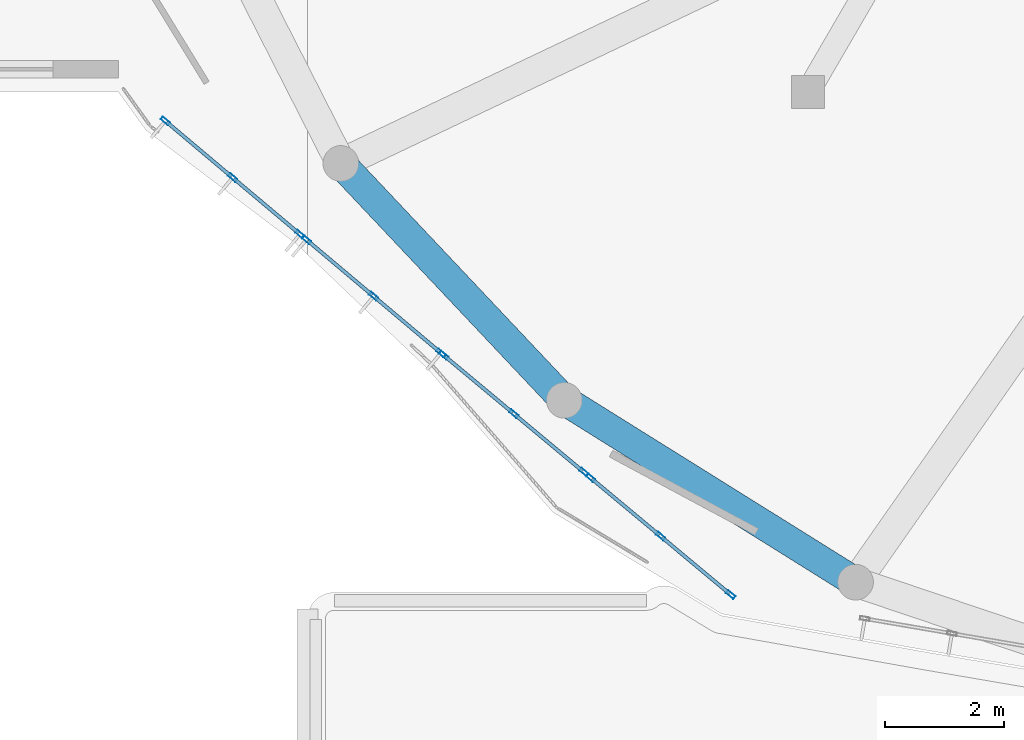
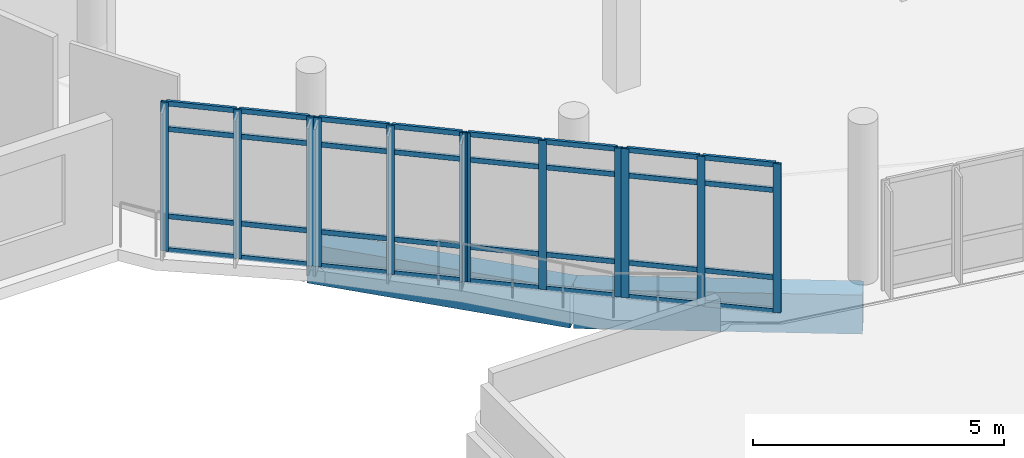
# One storey, part 7 of 74: 44 members, 2 beams, 4 elements without a shape of their own.
"""IFC4 building model written with IfcOpenShell, lengths in metres."""

from ifc_helpers import new_model, si_unit, derived_unit, direction, frame, origin, origin_2d, place, context, subcontext, project, spatial, rectangle, hollow_rectangle, extrude, material, layer, layer_set, material_profile, profile_set, type_object, element, aggregate, save


model = new_model("IFC4")

# Units and contexts
model_context = context("Model", 3, precision=1e-05, world=origin(), true_north=direction((0.0, 1.0)))
body_context = subcontext(model_context, "Body", "Model", "MODEL_VIEW")
ifc_project = project(units=[si_unit("LENGTHUNIT", "METRE"), si_unit("AREAUNIT", "SQUARE_METRE"), si_unit("VOLUMEUNIT", "CUBIC_METRE"), si_unit("PLANEANGLEUNIT", "RADIAN"), si_unit("MASSUNIT", "GRAM", prefix="KILO"), derived_unit("THERMALTRANSMITTANCEUNIT", [(si_unit("POWERUNIT", "WATT"), 1), (si_unit("LENGTHUNIT", "METRE"), -2), (si_unit("THERMODYNAMICTEMPERATUREUNIT", "KELVIN"), -1)])], contexts=[model_context])

# Site, building, storey
site_placement = place(None, origin())
site = spatial("IfcSite", under=ifc_project, at=site_placement, CompositionType="ELEMENT")
building_placement = place(site_placement, origin())
building = spatial("IfcBuilding", under=site, at=building_placement, Name="Elbkamm Science Centre", CompositionType="ELEMENT")
storey_placement = place(building_placement, frame((0.0, 0.0, 14.39990234375)))
storey = spatial("IfcBuildingStorey", under=building, at=storey_placement, Name="L03", CompositionType="ELEMENT", Elevation=14.39990234375)

# Beams
ifc_material_1 = material(Name="Concrete C40/50", Category="concrete")
ifc_material_profile_1 = material_profile(ifc_material_1, rectangle(XDim=0.5, YDim=0.949951171875, at=origin_2d()), Name="RC 500x950")
ifc_profile_set_1 = profile_set([ifc_material_profile_1], Name="Concrete C40/50")
beam_type = type_object("IfcBeamType", Name="BM-RC-500x950", PredefinedType="BEAM", material=ifc_profile_set_1)
beam_1_placement = place(storey_placement, frame((42.56201171875, 57.60009765625, -0.7548828125), z_axis=(0.686122314522, -0.727486198848, 0.0), x_axis=(0.727486198848, 0.686122314522, 0.0)))
element("IfcBeam", 1, at=beam_1_placement, inside=storey, type_object=beam_type, Name="L03 Elliptical Shell Perimeter Ring Beam 15", PredefinedType="SPANDREL", context=body_context, shape_type="SweptSolid", body=[
    extrude(rectangle(XDim=0.5, YDim=0.949951171875, at=origin_2d()), origin(), (0.0, 0.0, 1.0), 5.465576171875),
])
beam_2_placement = place(storey_placement, frame((46.31201171875, 53.6240234375, -0.7548828125), z_axis=(0.848229099729, -0.529629487824, 0.0), x_axis=(0.529629487824, 0.848229099729, 0.0)))
element("IfcBeam", 2, at=beam_2_placement, inside=storey, type_object=beam_type, Name="L03 Elliptical Shell Perimeter Ring Beam 16", PredefinedType="SPANDREL", context=body_context, shape_type="SweptSolid", body=[
    extrude(rectangle(XDim=0.5, YDim=0.949951171875, at=origin_2d()), origin(), (0.0, 0.0, 1.0), 5.762451171875),
])

# Curtain wall, members
ifc_material_2 = material(Name="Powder-coated aluminium and triple low-E glazing", Category="aluminium")
ifc_layer_1 = layer(ifc_material_2, 0.159912109375)
ifc_layer_set_1 = layer_set([ifc_layer_1], Name="Powder-coated aluminium and triple low-E glazing")
curtain_wall_type_1 = type_object("IfcCurtainWallType", Name="CW-UNIT-3020x3620", PredefinedType="USERDEFINED", material=ifc_layer_set_1)
curtain_wall_1_placement = place(storey_placement, origin())
curtain_wall_1 = element("IfcCurtainWall", 3, at=curtain_wall_1_placement, inside=storey, type_object=curtain_wall_type_1, Name="L03 Unitised Curtain Wall 065", ObjectType="UNITISED CURTAIN WALL", PredefinedType="USERDEFINED")
ifc_material_3 = material(Name="Powder-coated aluminium EN AW-6060", Category="aluminium")
ifc_material_profile_2 = material_profile(ifc_material_3, hollow_rectangle(XDim=0.06005859375, YDim=0.159912109375, WallThickness=0.00390625, at=origin_2d()), Name="ALU M60x160")
ifc_profile_set_2 = profile_set([ifc_material_profile_2], Name="Powder-coated aluminium EN AW-6060")
member_type_1 = type_object("IfcMemberType", Name="CW-MUL-60x160", PredefinedType="MULLION", material=ifc_profile_set_2)
member_1_placement = place(storey_placement, frame((39.6162109375, 58.313232421875, 0.0), z_axis=(0.0, 0.0, 1.0), x_axis=(0.643956875932, 0.765061789622, 0.0)))
member_1 = element("IfcMember", 4, at=member_1_placement, type_object=member_type_1, Name="CW-026 mullion 1", PredefinedType="MULLION", context=body_context, shape_type="SweptSolid", body=[
    extrude(hollow_rectangle(XDim=0.06005859375, YDim=0.159912109375, WallThickness=0.00390625, at=origin_2d()), origin(), (0.0, 0.0, 1.0), 3.6201171875),
])
member_2_placement = place(storey_placement, frame((40.745849609375, 57.3623046875, 0.0), z_axis=(0.0, 0.0, 1.0), x_axis=(0.643956875932, 0.765061789622, 0.0)))
member_2 = element("IfcMember", 5, at=member_2_placement, type_object=member_type_1, Name="CW-026 mullion 2", PredefinedType="MULLION", context=body_context, shape_type="SweptSolid", body=[
    extrude(hollow_rectangle(XDim=0.06005859375, YDim=0.159912109375, WallThickness=0.00390625, at=origin_2d()), origin(), (0.0, 0.0, 1.0), 3.6201171875),
])
member_3_placement = place(storey_placement, frame((41.87548828125, 56.41162109375, 0.0), z_axis=(0.0, 0.0, 1.0), x_axis=(0.643956875932, 0.765061789622, 0.0)))
member_3 = element("IfcMember", 6, at=member_3_placement, type_object=member_type_1, Name="CW-026 mullion 3", PredefinedType="MULLION", context=body_context, shape_type="SweptSolid", body=[
    extrude(hollow_rectangle(XDim=0.06005859375, YDim=0.159912109375, WallThickness=0.00390625, at=origin_2d()), origin(), (0.0, 0.0, 1.0), 3.6201171875),
])

curtain_wall_2_placement = place(storey_placement, origin())
curtain_wall_2 = element("IfcCurtainWall", 7, at=curtain_wall_2_placement, inside=storey, type_object=curtain_wall_type_1, Name="L03 Unitised Curtain Wall 066", ObjectType="UNITISED CURTAIN WALL", PredefinedType="USERDEFINED")
member_4_placement = place(storey_placement, frame((41.982666015625, 56.3212890625, 0.0), z_axis=(0.0, 0.0, 1.0), x_axis=(0.643956875932, 0.765061789622, 0.0)))
member_4 = element("IfcMember", 8, at=member_4_placement, type_object=member_type_1, Name="CW-026 mullion 1", PredefinedType="MULLION", context=body_context, shape_type="SweptSolid", body=[
    extrude(hollow_rectangle(XDim=0.06005859375, YDim=0.159912109375, WallThickness=0.00390625, at=origin_2d()), origin(), (0.0, 0.0, 1.0), 3.6201171875),
])
member_5_placement = place(storey_placement, frame((43.1123046875, 55.37060546875, 0.0), z_axis=(0.0, 0.0, 1.0), x_axis=(0.643956875932, 0.765061789622, 0.0)))
member_5 = element("IfcMember", 9, at=member_5_placement, type_object=member_type_1, Name="CW-026 mullion 2", PredefinedType="MULLION", context=body_context, shape_type="SweptSolid", body=[
    extrude(hollow_rectangle(XDim=0.06005859375, YDim=0.159912109375, WallThickness=0.00390625, at=origin_2d()), origin(), (0.0, 0.0, 1.0), 3.6201171875),
])
member_6_placement = place(storey_placement, frame((44.241943359375, 54.419677734375, 0.0), z_axis=(0.0, 0.0, 1.0), x_axis=(0.643956875932, 0.765061789622, 0.0)))
member_6 = element("IfcMember", 10, at=member_6_placement, type_object=member_type_1, Name="CW-026 mullion 3", PredefinedType="MULLION", context=body_context, shape_type="SweptSolid", body=[
    extrude(hollow_rectangle(XDim=0.06005859375, YDim=0.159912109375, WallThickness=0.00390625, at=origin_2d()), origin(), (0.0, 0.0, 1.0), 3.6201171875),
])

ifc_layer_2 = layer(ifc_material_2, 0.159912109375)
ifc_layer_set_2 = layer_set([ifc_layer_2], Name="Powder-coated aluminium and triple low-E glazing")
curtain_wall_type_2 = type_object("IfcCurtainWallType", Name="CW-UNIT-3120x3620", PredefinedType="USERDEFINED", material=ifc_layer_set_2)
curtain_wall_3_placement = place(storey_placement, origin())
curtain_wall_3 = element("IfcCurtainWall", 11, at=curtain_wall_3_placement, inside=storey, type_object=curtain_wall_type_2, Name="L03 Unitised Curtain Wall 067", ObjectType="UNITISED CURTAIN WALL", PredefinedType="USERDEFINED")
member_7_placement = place(storey_placement, frame((44.287841796875, 54.381103515625, 0.0), z_axis=(0.0, 0.0, 1.0), x_axis=(0.640646699875, 0.767835793604, 0.0)))
member_7 = element("IfcMember", 12, at=member_7_placement, type_object=member_type_1, Name="CW-027 mullion 1", PredefinedType="MULLION", context=body_context, shape_type="SweptSolid", body=[
    extrude(hollow_rectangle(XDim=0.06005859375, YDim=0.159912109375, WallThickness=0.00390625, at=origin_2d()), origin(), (0.0, 0.0, 1.0), 3.6201171875),
])
member_8_placement = place(storey_placement, frame((45.46533203125, 53.398681640625, 0.0), z_axis=(0.0, 0.0, 1.0), x_axis=(0.640646699875, 0.767835793604, 0.0)))
member_8 = element("IfcMember", 13, at=member_8_placement, type_object=member_type_1, Name="CW-027 mullion 2", PredefinedType="MULLION", context=body_context, shape_type="SweptSolid", body=[
    extrude(hollow_rectangle(XDim=0.06005859375, YDim=0.159912109375, WallThickness=0.00390625, at=origin_2d()), origin(), (0.0, 0.0, 1.0), 3.6201171875),
])
member_9_placement = place(storey_placement, frame((46.642822265625, 52.41650390625, 0.0), z_axis=(0.0, 0.0, 1.0), x_axis=(0.640646699875, 0.767835793604, 0.0)))
member_9 = element("IfcMember", 14, at=member_9_placement, type_object=member_type_1, Name="CW-027 mullion 3", PredefinedType="MULLION", context=body_context, shape_type="SweptSolid", body=[
    extrude(hollow_rectangle(XDim=0.06005859375, YDim=0.159912109375, WallThickness=0.00390625, at=origin_2d()), origin(), (0.0, 0.0, 1.0), 3.6201171875),
])

curtain_wall_4_placement = place(storey_placement, origin())
curtain_wall_4 = element("IfcCurtainWall", 15, at=curtain_wall_4_placement, inside=storey, type_object=curtain_wall_type_2, Name="L03 Unitised Curtain Wall 068", ObjectType="UNITISED CURTAIN WALL", PredefinedType="USERDEFINED")
member_10_placement = place(storey_placement, frame((46.750244140625, 52.32666015625, 0.0), z_axis=(0.0, 0.0, 1.0), x_axis=(0.640646699875, 0.767835793604, 0.0)))
member_10 = element("IfcMember", 16, at=member_10_placement, type_object=member_type_1, Name="CW-027 mullion 1", PredefinedType="MULLION", context=body_context, shape_type="SweptSolid", body=[
    extrude(hollow_rectangle(XDim=0.06005859375, YDim=0.159912109375, WallThickness=0.00390625, at=origin_2d()), origin(), (0.0, 0.0, 1.0), 3.6201171875),
])
member_11_placement = place(storey_placement, frame((47.927734375, 51.34423828125, 0.0), z_axis=(0.0, 0.0, 1.0), x_axis=(0.640646699875, 0.767835793604, 0.0)))
member_11 = element("IfcMember", 17, at=member_11_placement, type_object=member_type_1, Name="CW-027 mullion 2", PredefinedType="MULLION", context=body_context, shape_type="SweptSolid", body=[
    extrude(hollow_rectangle(XDim=0.06005859375, YDim=0.159912109375, WallThickness=0.00390625, at=origin_2d()), origin(), (0.0, 0.0, 1.0), 3.6201171875),
])
member_12_placement = place(storey_placement, frame((49.105224609375, 50.36181640625, 0.0), z_axis=(0.0, 0.0, 1.0), x_axis=(0.640646699875, 0.767835793604, 0.0)))
member_12 = element("IfcMember", 18, at=member_12_placement, type_object=member_type_1, Name="CW-027 mullion 3", PredefinedType="MULLION", context=body_context, shape_type="SweptSolid", body=[
    extrude(hollow_rectangle(XDim=0.06005859375, YDim=0.159912109375, WallThickness=0.00390625, at=origin_2d()), origin(), (0.0, 0.0, 1.0), 3.6201171875),
])

# Member
ifc_material_profile_3 = material_profile(ifc_material_3, hollow_rectangle(XDim=0.06005859375, YDim=0.1201171875, WallThickness=0.00341796875, at=origin_2d()), Name="ALU T60x120")
ifc_profile_set_3 = profile_set([ifc_material_profile_3], Name="Powder-coated aluminium EN AW-6060")
member_type_2 = type_object("IfcMemberType", Name="CW-TRN-60x120", PredefinedType="USERDEFINED", material=ifc_profile_set_3)
member_13_placement = place(storey_placement, frame((39.63916015625, 58.2939453125, 0.030029296875), z_axis=(0.765005039779, -0.644024292331, 0.0), x_axis=(0.644024292331, 0.765005039779, 0.0)))
member_13 = element("IfcMember", 19, at=member_13_placement, type_object=member_type_2, Name="CW-026 transom 1.1", ObjectType="TRANSOM", PredefinedType="USERDEFINED", context=body_context, shape_type="SweptSolid", body=[
    extrude(hollow_rectangle(XDim=0.06005859375, YDim=0.1201171875, WallThickness=0.00341796875, at=origin_2d()), origin(), (0.0, 0.0, 1.0), 1.416748046875),
])

member_14_placement = place(storey_placement, frame((39.63916015625, 58.2939453125, 0.85009765625), z_axis=(0.765005039779, -0.644024292331, 0.0), x_axis=(0.644024292331, 0.765005039779, 0.0)))
member_14 = element("IfcMember", 20, at=member_14_placement, type_object=member_type_2, Name="CW-026 transom 1.2", ObjectType="TRANSOM", PredefinedType="USERDEFINED", context=body_context, shape_type="SweptSolid", body=[
    extrude(hollow_rectangle(XDim=0.06005859375, YDim=0.1201171875, WallThickness=0.00341796875, at=origin_2d()), origin(), (0.0, 0.0, 1.0), 1.416748046875),
])

member_15_placement = place(storey_placement, frame((39.63916015625, 58.2939453125, 2.97021484375), z_axis=(0.765005039779, -0.644024292331, 0.0), x_axis=(0.644024292331, 0.765005039779, 0.0)))
member_15 = element("IfcMember", 21, at=member_15_placement, type_object=member_type_2, Name="CW-026 transom 1.3", ObjectType="TRANSOM", PredefinedType="USERDEFINED", context=body_context, shape_type="SweptSolid", body=[
    extrude(hollow_rectangle(XDim=0.06005859375, YDim=0.1201171875, WallThickness=0.00341796875, at=origin_2d()), origin(), (0.0, 0.0, 1.0), 1.416748046875),
])

member_16_placement = place(storey_placement, frame((39.63916015625, 58.2939453125, 3.590087890625), z_axis=(0.765005039779, -0.644024292331, 0.0), x_axis=(0.644024292331, 0.765005039779, 0.0)))
member_16 = element("IfcMember", 22, at=member_16_placement, type_object=member_type_2, Name="CW-026 transom 1.4", ObjectType="TRANSOM", PredefinedType="USERDEFINED", context=body_context, shape_type="SweptSolid", body=[
    extrude(hollow_rectangle(XDim=0.06005859375, YDim=0.1201171875, WallThickness=0.00341796875, at=origin_2d()), origin(), (0.0, 0.0, 1.0), 1.416748046875),
])

member_17_placement = place(storey_placement, frame((40.768798828125, 57.343017578125, 0.030029296875), z_axis=(0.765089949984, -0.643923418144, 0.0), x_axis=(0.643923418144, 0.765089949984, 0.0)))
member_17 = element("IfcMember", 23, at=member_17_placement, type_object=member_type_2, Name="CW-026 transom 2.1", ObjectType="TRANSOM", PredefinedType="USERDEFINED", context=body_context, shape_type="SweptSolid", body=[
    extrude(hollow_rectangle(XDim=0.06005859375, YDim=0.1201171875, WallThickness=0.00341796875, at=origin_2d()), origin(), (0.0, 0.0, 1.0), 1.41650390625),
])

member_18_placement = place(storey_placement, frame((40.768798828125, 57.343017578125, 0.85009765625), z_axis=(0.765089949984, -0.643923418144, 0.0), x_axis=(0.643923418144, 0.765089949984, 0.0)))
member_18 = element("IfcMember", 24, at=member_18_placement, type_object=member_type_2, Name="CW-026 transom 2.2", ObjectType="TRANSOM", PredefinedType="USERDEFINED", context=body_context, shape_type="SweptSolid", body=[
    extrude(hollow_rectangle(XDim=0.06005859375, YDim=0.1201171875, WallThickness=0.00341796875, at=origin_2d()), origin(), (0.0, 0.0, 1.0), 1.41650390625),
])

member_19_placement = place(storey_placement, frame((40.768798828125, 57.343017578125, 2.97021484375), z_axis=(0.765089949984, -0.643923418144, 0.0), x_axis=(0.643923418144, 0.765089949984, 0.0)))
member_19 = element("IfcMember", 25, at=member_19_placement, type_object=member_type_2, Name="CW-026 transom 2.3", ObjectType="TRANSOM", PredefinedType="USERDEFINED", context=body_context, shape_type="SweptSolid", body=[
    extrude(hollow_rectangle(XDim=0.06005859375, YDim=0.1201171875, WallThickness=0.00341796875, at=origin_2d()), origin(), (0.0, 0.0, 1.0), 1.41650390625),
])

member_20_placement = place(storey_placement, frame((40.768798828125, 57.343017578125, 3.590087890625), z_axis=(0.765089949984, -0.643923418144, 0.0), x_axis=(0.643923418144, 0.765089949984, 0.0)))
member_20 = element("IfcMember", 26, at=member_20_placement, type_object=member_type_2, Name="CW-026 transom 2.4", ObjectType="TRANSOM", PredefinedType="USERDEFINED", context=body_context, shape_type="SweptSolid", body=[
    extrude(hollow_rectangle(XDim=0.06005859375, YDim=0.1201171875, WallThickness=0.00341796875, at=origin_2d()), origin(), (0.0, 0.0, 1.0), 1.41650390625),
])

aggregate(curtain_wall_1, [member_1, member_2, member_3, member_13, member_14, member_15, member_16, member_17, member_18, member_19, member_20])

member_21_placement = place(storey_placement, frame((42.005615234375, 56.302001953125, 0.030029296875), z_axis=(0.765089949984, -0.643923418144, 0.0), x_axis=(0.643923418144, 0.765089949984, 0.0)))
member_21 = element("IfcMember", 27, at=member_21_placement, type_object=member_type_2, Name="CW-026 transom 1.1", ObjectType="TRANSOM", PredefinedType="USERDEFINED", context=body_context, shape_type="SweptSolid", body=[
    extrude(hollow_rectangle(XDim=0.06005859375, YDim=0.1201171875, WallThickness=0.00341796875, at=origin_2d()), origin(), (0.0, 0.0, 1.0), 1.41650390625),
])

member_22_placement = place(storey_placement, frame((42.005615234375, 56.302001953125, 0.85009765625), z_axis=(0.765089949984, -0.643923418144, 0.0), x_axis=(0.643923418144, 0.765089949984, 0.0)))
member_22 = element("IfcMember", 28, at=member_22_placement, type_object=member_type_2, Name="CW-026 transom 1.2", ObjectType="TRANSOM", PredefinedType="USERDEFINED", context=body_context, shape_type="SweptSolid", body=[
    extrude(hollow_rectangle(XDim=0.06005859375, YDim=0.1201171875, WallThickness=0.00341796875, at=origin_2d()), origin(), (0.0, 0.0, 1.0), 1.41650390625),
])

member_23_placement = place(storey_placement, frame((42.005615234375, 56.302001953125, 2.97021484375), z_axis=(0.765089949984, -0.643923418144, 0.0), x_axis=(0.643923418144, 0.765089949984, 0.0)))
member_23 = element("IfcMember", 29, at=member_23_placement, type_object=member_type_2, Name="CW-026 transom 1.3", ObjectType="TRANSOM", PredefinedType="USERDEFINED", context=body_context, shape_type="SweptSolid", body=[
    extrude(hollow_rectangle(XDim=0.06005859375, YDim=0.1201171875, WallThickness=0.00341796875, at=origin_2d()), origin(), (0.0, 0.0, 1.0), 1.41650390625),
])

member_24_placement = place(storey_placement, frame((42.005615234375, 56.302001953125, 3.590087890625), z_axis=(0.765089949984, -0.643923418144, 0.0), x_axis=(0.643923418144, 0.765089949984, 0.0)))
member_24 = element("IfcMember", 30, at=member_24_placement, type_object=member_type_2, Name="CW-026 transom 1.4", ObjectType="TRANSOM", PredefinedType="USERDEFINED", context=body_context, shape_type="SweptSolid", body=[
    extrude(hollow_rectangle(XDim=0.06005859375, YDim=0.1201171875, WallThickness=0.00341796875, at=origin_2d()), origin(), (0.0, 0.0, 1.0), 1.41650390625),
])

member_25_placement = place(storey_placement, frame((43.13525390625, 55.351318359375, 0.030029296875), z_axis=(0.765005039779, -0.644024292331, 0.0), x_axis=(0.644024292331, 0.765005039779, 0.0)))
member_25 = element("IfcMember", 31, at=member_25_placement, type_object=member_type_2, Name="CW-026 transom 2.1", ObjectType="TRANSOM", PredefinedType="USERDEFINED", context=body_context, shape_type="SweptSolid", body=[
    extrude(hollow_rectangle(XDim=0.06005859375, YDim=0.1201171875, WallThickness=0.00341796875, at=origin_2d()), origin(), (0.0, 0.0, 1.0), 1.416748046875),
])

member_26_placement = place(storey_placement, frame((43.13525390625, 55.351318359375, 0.85009765625), z_axis=(0.765005039779, -0.644024292331, 0.0), x_axis=(0.644024292331, 0.765005039779, 0.0)))
member_26 = element("IfcMember", 32, at=member_26_placement, type_object=member_type_2, Name="CW-026 transom 2.2", ObjectType="TRANSOM", PredefinedType="USERDEFINED", context=body_context, shape_type="SweptSolid", body=[
    extrude(hollow_rectangle(XDim=0.06005859375, YDim=0.1201171875, WallThickness=0.00341796875, at=origin_2d()), origin(), (0.0, 0.0, 1.0), 1.416748046875),
])

member_27_placement = place(storey_placement, frame((43.13525390625, 55.351318359375, 2.97021484375), z_axis=(0.765005039779, -0.644024292331, 0.0), x_axis=(0.644024292331, 0.765005039779, 0.0)))
member_27 = element("IfcMember", 33, at=member_27_placement, type_object=member_type_2, Name="CW-026 transom 2.3", ObjectType="TRANSOM", PredefinedType="USERDEFINED", context=body_context, shape_type="SweptSolid", body=[
    extrude(hollow_rectangle(XDim=0.06005859375, YDim=0.1201171875, WallThickness=0.00341796875, at=origin_2d()), origin(), (0.0, 0.0, 1.0), 1.416748046875),
])

member_28_placement = place(storey_placement, frame((43.13525390625, 55.351318359375, 3.590087890625), z_axis=(0.765005039779, -0.644024292331, 0.0), x_axis=(0.644024292331, 0.765005039779, 0.0)))
member_28 = element("IfcMember", 34, at=member_28_placement, type_object=member_type_2, Name="CW-026 transom 2.4", ObjectType="TRANSOM", PredefinedType="USERDEFINED", context=body_context, shape_type="SweptSolid", body=[
    extrude(hollow_rectangle(XDim=0.06005859375, YDim=0.1201171875, WallThickness=0.00341796875, at=origin_2d()), origin(), (0.0, 0.0, 1.0), 1.416748046875),
])

aggregate(curtain_wall_2, [member_4, member_5, member_6, member_21, member_22, member_23, member_24, member_25, member_26, member_27, member_28])

member_29_placement = place(storey_placement, frame((44.31103515625, 54.362060546875, 0.030029296875), z_axis=(0.767786517721, -0.640705753998, 0.0), x_axis=(0.640705753998, 0.767786517721, 0.0)))
member_29 = element("IfcMember", 35, at=member_29_placement, type_object=member_type_2, Name="CW-027 transom 1.1", ObjectType="TRANSOM", PredefinedType="USERDEFINED", context=body_context, shape_type="SweptSolid", body=[
    extrude(hollow_rectangle(XDim=0.06005859375, YDim=0.1201171875, WallThickness=0.00341796875, at=origin_2d()), origin(), (0.0, 0.0, 1.0), 1.4736328125),
])

member_30_placement = place(storey_placement, frame((44.31103515625, 54.362060546875, 0.85009765625), z_axis=(0.767786517721, -0.640705753998, 0.0), x_axis=(0.640705753998, 0.767786517721, 0.0)))
member_30 = element("IfcMember", 36, at=member_30_placement, type_object=member_type_2, Name="CW-027 transom 1.2", ObjectType="TRANSOM", PredefinedType="USERDEFINED", context=body_context, shape_type="SweptSolid", body=[
    extrude(hollow_rectangle(XDim=0.06005859375, YDim=0.1201171875, WallThickness=0.00341796875, at=origin_2d()), origin(), (0.0, 0.0, 1.0), 1.4736328125),
])

member_31_placement = place(storey_placement, frame((44.31103515625, 54.362060546875, 2.97021484375), z_axis=(0.767786517721, -0.640705753998, 0.0), x_axis=(0.640705753998, 0.767786517721, 0.0)))
member_31 = element("IfcMember", 37, at=member_31_placement, type_object=member_type_2, Name="CW-027 transom 1.3", ObjectType="TRANSOM", PredefinedType="USERDEFINED", context=body_context, shape_type="SweptSolid", body=[
    extrude(hollow_rectangle(XDim=0.06005859375, YDim=0.1201171875, WallThickness=0.00341796875, at=origin_2d()), origin(), (0.0, 0.0, 1.0), 1.4736328125),
])

member_32_placement = place(storey_placement, frame((44.31103515625, 54.362060546875, 3.590087890625), z_axis=(0.767786517721, -0.640705753998, 0.0), x_axis=(0.640705753998, 0.767786517721, 0.0)))
member_32 = element("IfcMember", 38, at=member_32_placement, type_object=member_type_2, Name="CW-027 transom 1.4", ObjectType="TRANSOM", PredefinedType="USERDEFINED", context=body_context, shape_type="SweptSolid", body=[
    extrude(hollow_rectangle(XDim=0.06005859375, YDim=0.1201171875, WallThickness=0.00341796875, at=origin_2d()), origin(), (0.0, 0.0, 1.0), 1.4736328125),
])

member_33_placement = place(storey_placement, frame((45.48828125, 53.379638671875, 0.030029296875), z_axis=(0.767786517721, -0.640705753998, 0.0), x_axis=(0.640705753998, 0.767786517721, 0.0)))
member_33 = element("IfcMember", 39, at=member_33_placement, type_object=member_type_2, Name="CW-027 transom 2.1", ObjectType="TRANSOM", PredefinedType="USERDEFINED", context=body_context, shape_type="SweptSolid", body=[
    extrude(hollow_rectangle(XDim=0.06005859375, YDim=0.1201171875, WallThickness=0.00341796875, at=origin_2d()), origin(), (0.0, 0.0, 1.0), 1.4736328125),
])

member_34_placement = place(storey_placement, frame((45.48828125, 53.379638671875, 0.85009765625), z_axis=(0.767786517721, -0.640705753998, 0.0), x_axis=(0.640705753998, 0.767786517721, 0.0)))
member_34 = element("IfcMember", 40, at=member_34_placement, type_object=member_type_2, Name="CW-027 transom 2.2", ObjectType="TRANSOM", PredefinedType="USERDEFINED", context=body_context, shape_type="SweptSolid", body=[
    extrude(hollow_rectangle(XDim=0.06005859375, YDim=0.1201171875, WallThickness=0.00341796875, at=origin_2d()), origin(), (0.0, 0.0, 1.0), 1.4736328125),
])

member_35_placement = place(storey_placement, frame((45.48828125, 53.379638671875, 2.97021484375), z_axis=(0.767786517721, -0.640705753998, 0.0), x_axis=(0.640705753998, 0.767786517721, 0.0)))
member_35 = element("IfcMember", 41, at=member_35_placement, type_object=member_type_2, Name="CW-027 transom 2.3", ObjectType="TRANSOM", PredefinedType="USERDEFINED", context=body_context, shape_type="SweptSolid", body=[
    extrude(hollow_rectangle(XDim=0.06005859375, YDim=0.1201171875, WallThickness=0.00341796875, at=origin_2d()), origin(), (0.0, 0.0, 1.0), 1.4736328125),
])

member_36_placement = place(storey_placement, frame((45.48828125, 53.379638671875, 3.590087890625), z_axis=(0.767786517721, -0.640705753998, 0.0), x_axis=(0.640705753998, 0.767786517721, 0.0)))
member_36 = element("IfcMember", 42, at=member_36_placement, type_object=member_type_2, Name="CW-027 transom 2.4", ObjectType="TRANSOM", PredefinedType="USERDEFINED", context=body_context, shape_type="SweptSolid", body=[
    extrude(hollow_rectangle(XDim=0.06005859375, YDim=0.1201171875, WallThickness=0.00341796875, at=origin_2d()), origin(), (0.0, 0.0, 1.0), 1.4736328125),
])

aggregate(curtain_wall_3, [member_7, member_8, member_9, member_29, member_30, member_31, member_32, member_33, member_34, member_35, member_36])

member_37_placement = place(storey_placement, frame((46.7734375, 52.307373046875, 0.030029296875), z_axis=(0.767868025029, -0.640608067493, 0.0), x_axis=(0.640608067493, 0.767868025029, 0.0)))
member_37 = element("IfcMember", 43, at=member_37_placement, type_object=member_type_2, Name="CW-027 transom 1.1", ObjectType="TRANSOM", PredefinedType="USERDEFINED", context=body_context, shape_type="SweptSolid", body=[
    extrude(hollow_rectangle(XDim=0.06005859375, YDim=0.1201171875, WallThickness=0.00341796875, at=origin_2d()), origin(), (0.0, 0.0, 1.0), 1.473388671875),
])

member_38_placement = place(storey_placement, frame((46.7734375, 52.307373046875, 0.85009765625), z_axis=(0.767868025029, -0.640608067493, 0.0), x_axis=(0.640608067493, 0.767868025029, 0.0)))
member_38 = element("IfcMember", 44, at=member_38_placement, type_object=member_type_2, Name="CW-027 transom 1.2", ObjectType="TRANSOM", PredefinedType="USERDEFINED", context=body_context, shape_type="SweptSolid", body=[
    extrude(hollow_rectangle(XDim=0.06005859375, YDim=0.1201171875, WallThickness=0.00341796875, at=origin_2d()), origin(), (0.0, 0.0, 1.0), 1.473388671875),
])

member_39_placement = place(storey_placement, frame((46.7734375, 52.307373046875, 2.97021484375), z_axis=(0.767868025029, -0.640608067493, 0.0), x_axis=(0.640608067493, 0.767868025029, 0.0)))
member_39 = element("IfcMember", 45, at=member_39_placement, type_object=member_type_2, Name="CW-027 transom 1.3", ObjectType="TRANSOM", PredefinedType="USERDEFINED", context=body_context, shape_type="SweptSolid", body=[
    extrude(hollow_rectangle(XDim=0.06005859375, YDim=0.1201171875, WallThickness=0.00341796875, at=origin_2d()), origin(), (0.0, 0.0, 1.0), 1.473388671875),
])

member_40_placement = place(storey_placement, frame((46.7734375, 52.307373046875, 3.590087890625), z_axis=(0.767868025029, -0.640608067493, 0.0), x_axis=(0.640608067493, 0.767868025029, 0.0)))
member_40 = element("IfcMember", 46, at=member_40_placement, type_object=member_type_2, Name="CW-027 transom 1.4", ObjectType="TRANSOM", PredefinedType="USERDEFINED", context=body_context, shape_type="SweptSolid", body=[
    extrude(hollow_rectangle(XDim=0.06005859375, YDim=0.1201171875, WallThickness=0.00341796875, at=origin_2d()), origin(), (0.0, 0.0, 1.0), 1.473388671875),
])

member_41_placement = place(storey_placement, frame((47.95068359375, 51.3251953125, 0.030029296875), z_axis=(0.767786517721, -0.640705753998, 0.0), x_axis=(0.640705753998, 0.767786517721, 0.0)))
member_41 = element("IfcMember", 47, at=member_41_placement, type_object=member_type_2, Name="CW-027 transom 2.1", ObjectType="TRANSOM", PredefinedType="USERDEFINED", context=body_context, shape_type="SweptSolid", body=[
    extrude(hollow_rectangle(XDim=0.06005859375, YDim=0.1201171875, WallThickness=0.00341796875, at=origin_2d()), origin(), (0.0, 0.0, 1.0), 1.4736328125),
])

member_42_placement = place(storey_placement, frame((47.95068359375, 51.3251953125, 0.85009765625), z_axis=(0.767786517721, -0.640705753998, 0.0), x_axis=(0.640705753998, 0.767786517721, 0.0)))
member_42 = element("IfcMember", 48, at=member_42_placement, type_object=member_type_2, Name="CW-027 transom 2.2", ObjectType="TRANSOM", PredefinedType="USERDEFINED", context=body_context, shape_type="SweptSolid", body=[
    extrude(hollow_rectangle(XDim=0.06005859375, YDim=0.1201171875, WallThickness=0.00341796875, at=origin_2d()), origin(), (0.0, 0.0, 1.0), 1.4736328125),
])

member_43_placement = place(storey_placement, frame((47.95068359375, 51.3251953125, 2.97021484375), z_axis=(0.767786517721, -0.640705753998, 0.0), x_axis=(0.640705753998, 0.767786517721, 0.0)))
member_43 = element("IfcMember", 49, at=member_43_placement, type_object=member_type_2, Name="CW-027 transom 2.3", ObjectType="TRANSOM", PredefinedType="USERDEFINED", context=body_context, shape_type="SweptSolid", body=[
    extrude(hollow_rectangle(XDim=0.06005859375, YDim=0.1201171875, WallThickness=0.00341796875, at=origin_2d()), origin(), (0.0, 0.0, 1.0), 1.4736328125),
])

member_44_placement = place(storey_placement, frame((47.95068359375, 51.3251953125, 3.590087890625), z_axis=(0.767786517721, -0.640705753998, 0.0), x_axis=(0.640705753998, 0.767786517721, 0.0)))
member_44 = element("IfcMember", 50, at=member_44_placement, type_object=member_type_2, Name="CW-027 transom 2.4", ObjectType="TRANSOM", PredefinedType="USERDEFINED", context=body_context, shape_type="SweptSolid", body=[
    extrude(hollow_rectangle(XDim=0.06005859375, YDim=0.1201171875, WallThickness=0.00341796875, at=origin_2d()), origin(), (0.0, 0.0, 1.0), 1.4736328125),
])

aggregate(curtain_wall_4, [member_10, member_11, member_12, member_37, member_38, member_39, member_40, member_41, member_42, member_43, member_44])

save(model, "model.ifc")
